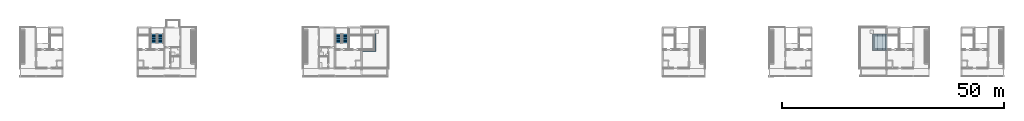
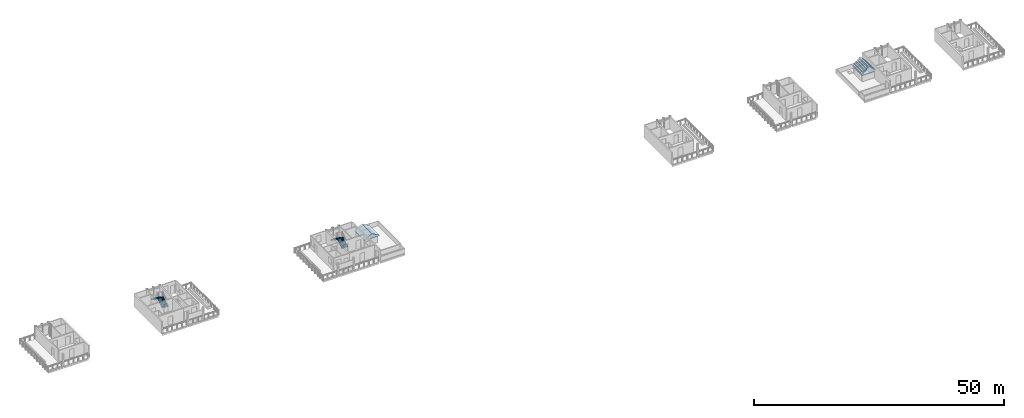
# One storey, part 28 of 33: 4 stair flights, 2 roofs, 2 elements without a shape of their own.
"""IFC4 building model written with IfcOpenShell, lengths in metres."""

from ifc_helpers import new_model, si_unit, direction, frame, origin, place, context, subcontext, project, spatial, polyline, outline, extrude, material, type_object, element, aggregate, save


model = new_model("IFC4")

# Units and contexts
model_context = context("Model", 3, precision=1e-05, world=origin(), true_north=direction((0.0, 1.0)))
body_context = subcontext(model_context, "Body", "Model", "MODEL_VIEW")
ifc_project = project(units=[si_unit("LENGTHUNIT", "METRE"), si_unit("AREAUNIT", "SQUARE_METRE"), si_unit("VOLUMEUNIT", "CUBIC_METRE"), si_unit("PLANEANGLEUNIT", "RADIAN"), si_unit("MASSUNIT", "GRAM", prefix="KILO")], contexts=[model_context])

# Site, building, storey
site_placement = place(None, origin())
site = spatial("IfcSite", under=ifc_project, at=site_placement, CompositionType="ELEMENT")
building_placement = place(site_placement, origin())
building = spatial("IfcBuilding", under=site, at=building_placement, Name="Ridgestep Commons", CompositionType="ELEMENT")
storey_placement = place(building_placement, frame((0.0, 0.0, 42.0)))
storey = spatial("IfcBuildingStorey", under=building, at=storey_placement, Name="L14", CompositionType="ELEMENT", Elevation=42.0)

# Stair, stair flights
ifc_material_1 = material(Name="Precast concrete C40/50", Category="concrete")
stair_type = type_object("IfcStairType", Name="Escape stair 1400", PredefinedType="HALF_TURN_STAIR", material=ifc_material_1)
stair_1_placement = place(storey_placement, origin())
stair_1 = element("IfcStair", 1, at=stair_1_placement, inside=storey, type_object=stair_type, Name="L14 Escape stair A3C", PredefinedType="HALF_TURN_STAIR")
ifc_material_2 = material(Name="Precast concrete C40/50", Category="concrete")
stair_flight_type = type_object("IfcStairFlightType", Name="Stair flight 1400", PredefinedType="STRAIGHT", material=ifc_material_2)
stair_flight_1_placement = place(storey_placement, frame((50.77490234375, 19.35009765625, 0.0), z_axis=(0.0, 0.0, 1.0), x_axis=(0.0, 1.0, 0.0)))
stair_flight_1 = element("IfcStairFlight", 2, at=stair_flight_1_placement, type_object=stair_flight_type, Name="A3C flight 1", NumberOfRisers=8, NumberOfTreads=7, PredefinedType="STRAIGHT", RiserHeight=0.1875, TreadLength=0.28, context=body_context, shape_type="SweptSolid", body=[
    extrude(outline(polyline([(0.0, 0.0), (0.0, 0.1875), (0.280029296875, 0.1875), (0.280029296875, 0.375), (0.56005859375, 0.375), (0.56005859375, 0.5625), (0.840087890625, 0.5625), (0.840087890625, 0.75), (1.1201171875, 0.75), (1.1201171875, 0.9375), (1.39990234375, 0.9375), (1.39990234375, 1.125), (1.679931640625, 1.125), (1.679931640625, 1.3125), (1.9599609375, 1.3125), (1.9599609375, 1.5), (1.9599609375, 1.132080078125), (0.26953125, 0.0), (0.0, 0.0)])), frame((0.0, 0.699951171875, 0.0), z_axis=(0.0, -1.0, 0.0), x_axis=(1.0, 0.0, 0.0)), (0.0, 0.0, 1.0), 0.695068359375),
    extrude(outline(polyline([(0.0, 0.0), (0.0, 0.1875), (0.280029296875, 0.1875), (0.280029296875, 0.375), (0.56005859375, 0.375), (0.56005859375, 0.5625), (0.840087890625, 0.5625), (0.840087890625, 0.75), (1.1201171875, 0.75), (1.1201171875, 0.9375), (1.39990234375, 0.9375), (1.39990234375, 1.125), (1.679931640625, 1.125), (1.679931640625, 1.3125), (1.9599609375, 1.3125), (1.9599609375, 1.5), (1.9599609375, 1.132080078125), (0.26953125, 0.0), (0.0, 0.0)])), frame((0.0, -0.0048828125, 0.0), z_axis=(0.0, -1.0, 0.0), x_axis=(1.0, 0.0, 0.0)), (0.0, 0.0, 1.0), 0.695068359375),
])
stair_flight_2_placement = place(storey_placement, frame((49.27490234375, 21.31005859375, 1.5), z_axis=(0.0, 0.0, 1.0), x_axis=(0.0, -1.0, 0.0)))
stair_flight_2 = element("IfcStairFlight", 3, at=stair_flight_2_placement, type_object=stair_flight_type, Name="A3C flight 2", NumberOfRisers=8, NumberOfTreads=7, PredefinedType="STRAIGHT", RiserHeight=0.1875, TreadLength=0.28, context=body_context, shape_type="SweptSolid", body=[
    extrude(outline(polyline([(0.0, 0.0), (0.0, 0.1875), (0.280029296875, 0.1875), (0.280029296875, 0.375), (0.56005859375, 0.375), (0.56005859375, 0.5625), (0.840087890625, 0.5625), (0.840087890625, 0.75), (1.1201171875, 0.75), (1.1201171875, 0.9375), (1.39990234375, 0.9375), (1.39990234375, 1.125), (1.679931640625, 1.125), (1.679931640625, 1.3125), (1.9599609375, 1.3125), (1.9599609375, 1.5), (1.9599609375, 1.132080078125), (0.26953125, 0.0), (0.0, 0.0)])), frame((0.0, 0.699951171875, 0.0), z_axis=(0.0, -1.0, 0.0), x_axis=(1.0, 0.0, 0.0)), (0.0, 0.0, 1.0), 0.695068359375),
    extrude(outline(polyline([(0.0, 0.0), (0.0, 0.1875), (0.280029296875, 0.1875), (0.280029296875, 0.375), (0.56005859375, 0.375), (0.56005859375, 0.5625), (0.840087890625, 0.5625), (0.840087890625, 0.75), (1.1201171875, 0.75), (1.1201171875, 0.9375), (1.39990234375, 0.9375), (1.39990234375, 1.125), (1.679931640625, 1.125), (1.679931640625, 1.3125), (1.9599609375, 1.3125), (1.9599609375, 1.5), (1.9599609375, 1.132080078125), (0.26953125, 0.0), (0.0, 0.0)])), frame((0.0, -0.0048828125, 0.0), z_axis=(0.0, -1.0, 0.0), x_axis=(1.0, 0.0, 0.0)), (0.0, 0.0, 1.0), 0.695068359375),
])
aggregate(stair_1, [stair_flight_1, stair_flight_2])

stair_2_placement = place(storey_placement, origin())
stair_2 = element("IfcStair", 4, at=stair_2_placement, inside=storey, type_object=stair_type, Name="L14 Escape stair A5C", PredefinedType="HALF_TURN_STAIR")
stair_flight_3_placement = place(storey_placement, frame((92.324951171875, 19.35009765625, 0.0), z_axis=(0.0, 0.0, 1.0), x_axis=(0.0, 1.0, 0.0)))
stair_flight_3 = element("IfcStairFlight", 5, at=stair_flight_3_placement, type_object=stair_flight_type, Name="A5C flight 1", NumberOfRisers=8, NumberOfTreads=7, PredefinedType="STRAIGHT", RiserHeight=0.1875, TreadLength=0.28, context=body_context, shape_type="SweptSolid", body=[
    extrude(outline(polyline([(0.0, 0.0), (0.0, 0.1875), (0.280029296875, 0.1875), (0.280029296875, 0.375), (0.56005859375, 0.375), (0.56005859375, 0.5625), (0.840087890625, 0.5625), (0.840087890625, 0.75), (1.1201171875, 0.75), (1.1201171875, 0.9375), (1.39990234375, 0.9375), (1.39990234375, 1.125), (1.679931640625, 1.125), (1.679931640625, 1.3125), (1.9599609375, 1.3125), (1.9599609375, 1.5), (1.9599609375, 1.132080078125), (0.26953125, 0.0), (0.0, 0.0)])), frame((0.0, 0.699951171875, 0.0), z_axis=(0.0, -1.0, 0.0), x_axis=(1.0, 0.0, 0.0)), (0.0, 0.0, 1.0), 0.695068359375),
    extrude(outline(polyline([(0.0, 0.0), (0.0, 0.1875), (0.280029296875, 0.1875), (0.280029296875, 0.375), (0.56005859375, 0.375), (0.56005859375, 0.5625), (0.840087890625, 0.5625), (0.840087890625, 0.75), (1.1201171875, 0.75), (1.1201171875, 0.9375), (1.39990234375, 0.9375), (1.39990234375, 1.125), (1.679931640625, 1.125), (1.679931640625, 1.3125), (1.9599609375, 1.3125), (1.9599609375, 1.5), (1.9599609375, 1.132080078125), (0.26953125, 0.0), (0.0, 0.0)])), frame((0.0, -0.0048828125, 0.0), z_axis=(0.0, -1.0, 0.0), x_axis=(1.0, 0.0, 0.0)), (0.0, 0.0, 1.0), 0.695068359375),
])
stair_flight_4_placement = place(storey_placement, frame((90.824951171875, 21.31005859375, 1.5), z_axis=(0.0, 0.0, 1.0), x_axis=(0.0, -1.0, 0.0)))
stair_flight_4 = element("IfcStairFlight", 6, at=stair_flight_4_placement, type_object=stair_flight_type, Name="A5C flight 2", NumberOfRisers=8, NumberOfTreads=7, PredefinedType="STRAIGHT", RiserHeight=0.1875, TreadLength=0.28, context=body_context, shape_type="SweptSolid", body=[
    extrude(outline(polyline([(0.0, 0.0), (0.0, 0.1875), (0.280029296875, 0.1875), (0.280029296875, 0.375), (0.56005859375, 0.375), (0.56005859375, 0.5625), (0.840087890625, 0.5625), (0.840087890625, 0.75), (1.1201171875, 0.75), (1.1201171875, 0.9375), (1.39990234375, 0.9375), (1.39990234375, 1.125), (1.679931640625, 1.125), (1.679931640625, 1.3125), (1.9599609375, 1.3125), (1.9599609375, 1.5), (1.9599609375, 1.132080078125), (0.26953125, 0.0), (0.0, 0.0)])), frame((0.0, 0.699951171875, 0.0), z_axis=(0.0, -1.0, 0.0), x_axis=(1.0, 0.0, 0.0)), (0.0, 0.0, 1.0), 0.695068359375),
    extrude(outline(polyline([(0.0, 0.0), (0.0, 0.1875), (0.280029296875, 0.1875), (0.280029296875, 0.375), (0.56005859375, 0.375), (0.56005859375, 0.5625), (0.840087890625, 0.5625), (0.840087890625, 0.75), (1.1201171875, 0.75), (1.1201171875, 0.9375), (1.39990234375, 0.9375), (1.39990234375, 1.125), (1.679931640625, 1.125), (1.679931640625, 1.3125), (1.9599609375, 1.3125), (1.9599609375, 1.5), (1.9599609375, 1.132080078125), (0.26953125, 0.0), (0.0, 0.0)])), frame((0.0, -0.0048828125, 0.0), z_axis=(0.0, -1.0, 0.0), x_axis=(1.0, 0.0, 0.0)), (0.0, 0.0, 1.0), 0.695068359375),
])
aggregate(stair_2, [stair_flight_3, stair_flight_4])

# Roofs
ifc_material_3 = material(Name="Zinc-aluminium profiled sheet", Category="aluminium")
roof_type_1 = type_object("IfcRoofType", Name="Crow-stepped gable crown 3275 x 3700", PredefinedType="USERDEFINED", material=ifc_material_3)
roof_1_placement = place(storey_placement, frame((210.875, 19.449951171875, 1.699951171875), z_axis=(0.0, 0.0, 1.0), x_axis=(1.0, 0.0, 0.0)))
element("IfcRoof", 7, at=roof_1_placement, inside=storey, type_object=roof_type_1, Name="Crow-stepped gable crown D4C", ObjectType="Crow-stepped gable roof", PredefinedType="USERDEFINED", context=body_context, shape_type="SweptSolid", body=[
    extrude(outline(polyline([(0.0, 0.0), (3.27490234375, 0.0), (3.27490234375, 0.35009765625), (2.917724609375, 0.35009765625), (2.91552734375, 0.699951171875), (2.558349609375, 0.699951171875), (2.55615234375, 1.050048828125), (2.198974609375, 1.050048828125), (2.19677734375, 1.400146484375), (1.839599609375, 1.400146484375), (1.83740234375, 1.75), (1.4375, 1.75), (1.435546875, 1.400146484375), (1.078125, 1.400146484375), (1.076171875, 1.050048828125), (0.71875, 1.050048828125), (0.716796875, 0.699951171875), (0.359375, 0.699951171875), (0.357421875, 0.35009765625), (0.0, 0.35009765625), (0.0, 0.0)])), frame((0.0, 1.85009765625, 0.0), z_axis=(0.0, -1.0, 0.0), x_axis=(1.0, 0.0, 0.0)), (0.0, 0.0, 1.0), 3.699951171875),
])
ifc_material_4 = material(Name="Zinc-aluminium profiled sheet", Category="aluminium")
roof_type_2 = type_object("IfcRoofType", Name="Gable crown 3575 x 4000", PredefinedType="GABLE_ROOF", material=ifc_material_4)
roof_2_placement = place(storey_placement, frame((95.699951171875, 19.449951171875, 1.699951171875), z_axis=(0.0, 0.0, 1.0), x_axis=(1.0, 0.0, 0.0)))
element("IfcRoof", 8, at=roof_2_placement, inside=storey, type_object=roof_type_2, Name="Gable crown A6C", PredefinedType="GABLE_ROOF", context=body_context, shape_type="SweptSolid", body=[
    extrude(outline(polyline([(0.0, 0.0), (3.574951171875, 0.0), (3.574951171875, 0.1201171875), (1.78759765625, 1.152099609375), (0.0, 0.1201171875), (0.0, 0.0)])), frame((0.0, 2.0, 0.0), z_axis=(0.0, -1.0, 0.0), x_axis=(1.0, 0.0, 0.0)), (0.0, 0.0, 1.0), 4.0),
])

save(model, "model.ifc")
